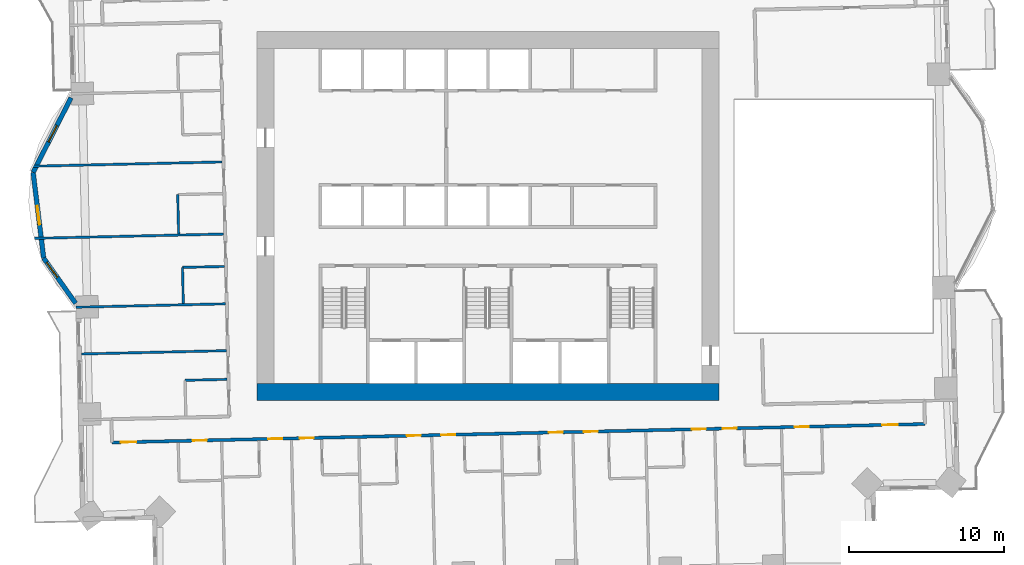
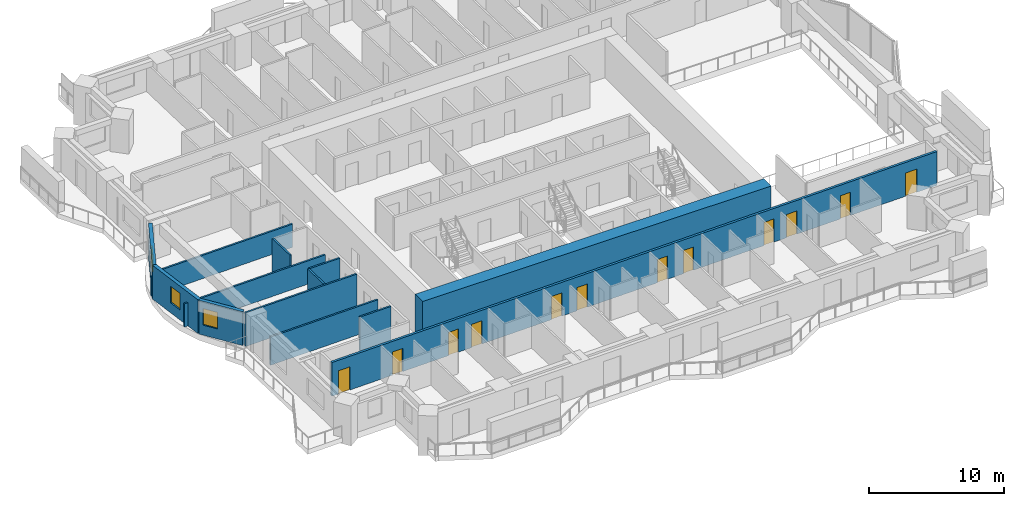
# One storey, part 7 of 17: 13 walls, 12 doors, 3 windows, 15 openings.
"""IFC4 building model written with IfcOpenShell, lengths in metres."""

from ifc_helpers import new_model, si_unit, direction, frame, frame_2d, origin, place, context, subcontext, project, spatial, rectangle, extrude, material, layer, layer_set, type_object, element, fill, save


model = new_model("IFC4")

# Units and contexts
model_context = context("Model", 3, precision=1e-05, world=origin(), true_north=direction((0.0, 1.0)))
body_context = subcontext(model_context, "Body", "Model", "MODEL_VIEW")
ifc_project = project(units=[si_unit("LENGTHUNIT", "METRE"), si_unit("AREAUNIT", "SQUARE_METRE"), si_unit("VOLUMEUNIT", "CUBIC_METRE"), si_unit("PLANEANGLEUNIT", "RADIAN"), si_unit("MASSUNIT", "GRAM", prefix="KILO")], contexts=[model_context])

# Site, building, storey
site_placement = place(None, origin())
site = spatial("IfcSite", under=ifc_project, at=site_placement, CompositionType="ELEMENT")
building_placement = place(site_placement, origin())
building = spatial("IfcBuilding", under=site, at=building_placement, Name="Mangrove Gate Tower", CompositionType="ELEMENT")
storey_placement = place(building_placement, frame((0.0, 0.0, 79.300048828125)))
storey = spatial("IfcBuildingStorey", under=building, at=storey_placement, Name="L19", CompositionType="ELEMENT", Elevation=79.300048828125)

# Wall
ifc_material_1 = material(Name="Concrete C70/85", Category="concrete")
ifc_layer_1 = layer(ifc_material_1, 1.10009765625)
ifc_layer_set_1 = layer_set([ifc_layer_1], Name="Core wall 1100 C70/85")
wall_type_1 = type_object("IfcWallType", Name="Core wall 1100 C70/85", PredefinedType="SHEAR", material=ifc_layer_set_1)
wall_1_placement = place(storey_placement, frame((-14.89990234375, -11.35009765625, 0.0), z_axis=(0.0, 0.0, 1.0), x_axis=(1.0, 0.0, 0.0)))
element("IfcWall", 1, at=wall_1_placement, inside=storey, type_object=wall_type_1, Name="WALL-L19-CORE-1", PredefinedType="SHEAR", context=body_context, shape_type="SweptSolid", body=[
    extrude(rectangle(XDim=29.7998046875, YDim=1.10009765625, at=frame_2d((14.89990234375, 0.0))), origin(), (0.0, 0.0, 1.0), 3.599853515625),
])

# Wall, openings, doors
ifc_material_2 = material(Name="Gypsum board on steel stud, EI 60", Category="steel")
ifc_layer_2 = layer(ifc_material_2, 0.199951171875)
ifc_layer_set_2 = layer_set([ifc_layer_2], Name="Corridor wall EI 60")
wall_type_2 = type_object("IfcWallType", Name="Corridor wall EI 60", PredefinedType="PARTITIONING", material=ifc_layer_set_2)
wall_2_placement = place(storey_placement, frame((-24.2490234375, -14.591064453125, 0.0), z_axis=(0.0, 0.0, 1.0), x_axis=(0.999742227308, 0.022704161211, 0.0)))
wall_2 = element("IfcWall", 2, at=wall_2_placement, inside=storey, type_object=wall_type_2, Name="WALL-L19-030", PredefinedType="PARTITIONING", context=body_context, shape_type="SweptSolid", body=[
    extrude(rectangle(XDim=52.42138671875, YDim=0.199951171875, at=frame_2d((26.210693359375, 0.0))), origin(), (0.0, 0.0, 1.0), 3.050048828125),
])
opening_1_placement = place(wall_2_placement, frame((0.574951171875, 0.0, 0.0)))
opening_1 = element("IfcOpeningElement", 3, at=opening_1_placement, cuts=wall_2, Name="Opening AD", PredefinedType="OPENING", context=body_context, shape_type="SweptSolid", body=[
    extrude(rectangle(XDim=1.0, YDim=2.10009765625, at=frame_2d((0.5, 1.050048828125))), frame((0.0, 0.10986328125, 0.0), z_axis=(0.0, -1.0, 0.0), x_axis=(1.0, 0.0, 0.0)), (0.0, 0.0, 1.0), 0.219970703125),
])
opening_2_placement = place(wall_2_placement, frame((5.22509765625, 0.0, 0.0)))
opening_2 = element("IfcOpeningElement", 4, at=opening_2_placement, cuts=wall_2, Name="Opening SD", PredefinedType="OPENING", context=body_context, shape_type="SweptSolid", body=[
    extrude(rectangle(XDim=0.89990234375, YDim=2.10009765625, at=frame_2d((0.449951171875, 1.050048828125))), frame((0.0, 0.10986328125, 0.0), z_axis=(0.0, -1.0, 0.0), x_axis=(1.0, 0.0, 0.0)), (0.0, 0.0, 1.0), 0.219970703125),
])
opening_3_placement = place(wall_2_placement, frame((10.074951171875, 0.0, 0.0)))
opening_3 = element("IfcOpeningElement", 5, at=opening_3_placement, cuts=wall_2, Name="Opening BD", PredefinedType="OPENING", context=body_context, shape_type="SweptSolid", body=[
    extrude(rectangle(XDim=0.89990234375, YDim=2.10009765625, at=frame_2d((0.449951171875, 1.050048828125))), frame((0.0, 0.10986328125, 0.0), z_axis=(0.0, -1.0, 0.0), x_axis=(1.0, 0.0, 0.0)), (0.0, 0.0, 1.0), 0.219970703125),
])
opening_4_placement = place(wall_2_placement, frame((12.10009765625, 0.0, 0.0)))
opening_4 = element("IfcOpeningElement", 6, at=opening_4_placement, cuts=wall_2, Name="Opening BD", PredefinedType="OPENING", context=body_context, shape_type="SweptSolid", body=[
    extrude(rectangle(XDim=0.89990234375, YDim=2.10009765625, at=frame_2d((0.449951171875, 1.050048828125))), frame((0.0, 0.10986328125, 0.0), z_axis=(0.0, -1.0, 0.0), x_axis=(1.0, 0.0, 0.0)), (0.0, 0.0, 1.0), 0.219970703125),
])
opening_5_placement = place(wall_2_placement, frame((19.02490234375, 0.0, 0.0)))
opening_5 = element("IfcOpeningElement", 7, at=opening_5_placement, cuts=wall_2, Name="Opening BD", PredefinedType="OPENING", context=body_context, shape_type="SweptSolid", body=[
    extrude(rectangle(XDim=0.89990234375, YDim=2.10009765625, at=frame_2d((0.449951171875, 1.050048828125))), frame((0.0, 0.10986328125, 0.0), z_axis=(0.0, -1.0, 0.0), x_axis=(1.0, 0.0, 0.0)), (0.0, 0.0, 1.0), 0.219970703125),
])
opening_6_placement = place(wall_2_placement, frame((21.22509765625, 0.0, 0.0)))
opening_6 = element("IfcOpeningElement", 8, at=opening_6_placement, cuts=wall_2, Name="Opening BD", PredefinedType="OPENING", context=body_context, shape_type="SweptSolid", body=[
    extrude(rectangle(XDim=0.89990234375, YDim=2.10009765625, at=frame_2d((0.449951171875, 1.050048828125))), frame((0.0, 0.10986328125, 0.0), z_axis=(0.0, -1.0, 0.0), x_axis=(1.0, 0.0, 0.0)), (0.0, 0.0, 1.0), 0.219970703125),
])
opening_7_placement = place(wall_2_placement, frame((28.175048828125, 0.0, 0.0)))
opening_7 = element("IfcOpeningElement", 9, at=opening_7_placement, cuts=wall_2, Name="Opening BD", PredefinedType="OPENING", context=body_context, shape_type="SweptSolid", body=[
    extrude(rectangle(XDim=0.89990234375, YDim=2.10009765625, at=frame_2d((0.449951171875, 1.050048828125))), frame((0.0, 0.10986328125, 0.0), z_axis=(0.0, -1.0, 0.0), x_axis=(1.0, 0.0, 0.0)), (0.0, 0.0, 1.0), 0.219970703125),
])
opening_8_placement = place(wall_2_placement, frame((30.425048828125, 0.0, 0.0)))
opening_8 = element("IfcOpeningElement", 10, at=opening_8_placement, cuts=wall_2, Name="Opening BD", PredefinedType="OPENING", context=body_context, shape_type="SweptSolid", body=[
    extrude(rectangle(XDim=0.89990234375, YDim=2.10009765625, at=frame_2d((0.449951171875, 1.050048828125))), frame((0.0, 0.10986328125, 0.0), z_axis=(0.0, -1.0, 0.0), x_axis=(1.0, 0.0, 0.0)), (0.0, 0.0, 1.0), 0.219970703125),
])
opening_9_placement = place(wall_2_placement, frame((37.39990234375, 0.0, 0.0)))
opening_9 = element("IfcOpeningElement", 11, at=opening_9_placement, cuts=wall_2, Name="Opening BD", PredefinedType="OPENING", context=body_context, shape_type="SweptSolid", body=[
    extrude(rectangle(XDim=0.89990234375, YDim=2.10009765625, at=frame_2d((0.449951171875, 1.050048828125))), frame((0.0, 0.10986328125, 0.0), z_axis=(0.0, -1.0, 0.0), x_axis=(1.0, 0.0, 0.0)), (0.0, 0.0, 1.0), 0.219970703125),
])
opening_10_placement = place(wall_2_placement, frame((39.375, 0.0, 0.0)))
opening_10 = element("IfcOpeningElement", 12, at=opening_10_placement, cuts=wall_2, Name="Opening BD", PredefinedType="OPENING", context=body_context, shape_type="SweptSolid", body=[
    extrude(rectangle(XDim=0.89990234375, YDim=2.10009765625, at=frame_2d((0.449951171875, 1.050048828125))), frame((0.0, 0.10986328125, 0.0), z_axis=(0.0, -1.0, 0.0), x_axis=(1.0, 0.0, 0.0)), (0.0, 0.0, 1.0), 0.219970703125),
])
opening_11_placement = place(wall_2_placement, frame((49.660888671875, 0.0, 0.0)))
opening_11 = element("IfcOpeningElement", 13, at=opening_11_placement, cuts=wall_2, Name="Opening AD", PredefinedType="OPENING", context=body_context, shape_type="SweptSolid", body=[
    extrude(rectangle(XDim=1.0, YDim=2.10009765625, at=frame_2d((0.5, 1.050048828125))), frame((0.0, 0.10986328125, 0.0), z_axis=(0.0, -1.0, 0.0), x_axis=(1.0, 0.0, 0.0)), (0.0, 0.0, 1.0), 0.219970703125),
])
opening_12_placement = place(wall_2_placement, frame((44.02490234375, 0.0, 0.0)))
opening_12 = element("IfcOpeningElement", 14, at=opening_12_placement, cuts=wall_2, Name="Opening SD", PredefinedType="OPENING", context=body_context, shape_type="SweptSolid", body=[
    extrude(rectangle(XDim=0.89990234375, YDim=2.10009765625, at=frame_2d((0.449951171875, 1.050048828125))), frame((0.0, 0.10986328125, 0.0), z_axis=(0.0, -1.0, 0.0), x_axis=(1.0, 0.0, 0.0)), (0.0, 0.0, 1.0), 0.219970703125),
])
ifc_material_3 = material(Name="Timber door leaf", Category="wood")
door_type_1 = type_object("IfcDoorType", Name="Amenity door 1000", OperationType="SINGLE_SWING_LEFT", PredefinedType="DOOR", material=ifc_material_3)
door_1_placement = place(opening_1_placement, origin())
door_1 = element("IfcDoor", 15, at=door_1_placement, inside=storey, type_object=door_type_1, Name="DOOR-L19-STU-c1a", OperationType="SINGLE_SWING_LEFT", OverallHeight=2.10009765625, OverallWidth=1.0, PredefinedType="DOOR", context=body_context, shape_type="SweptSolid", body=[
    extrude(rectangle(XDim=1.0, YDim=2.10009765625, at=frame_2d((0.5, 1.050048828125))), frame((0.0, 0.02490234375, 0.0), z_axis=(0.0, -1.0, 0.0), x_axis=(1.0, 0.0, 0.0)), (0.0, 0.0, 1.0), 0.050048828125),
])
fill(opening_1, door_1)
door_2_placement = place(opening_11_placement, origin())
door_2 = element("IfcDoor", 16, at=door_2_placement, inside=storey, type_object=door_type_1, Name="DOOR-L19-GAM-c3a", OperationType="SINGLE_SWING_RIGHT", OverallHeight=2.10009765625, OverallWidth=1.0, PredefinedType="DOOR", context=body_context, shape_type="SweptSolid", body=[
    extrude(rectangle(XDim=1.0, YDim=2.10009765625, at=frame_2d((0.5, 1.050048828125))), frame((0.0, 0.02490234375, 0.0), z_axis=(0.0, -1.0, 0.0), x_axis=(1.0, 0.0, 0.0)), (0.0, 0.0, 1.0), 0.050048828125),
])
fill(opening_11, door_2)
ifc_material_4 = material(Name="Timber door leaf", Category="wood")
door_type_2 = type_object("IfcDoorType", Name="Bedroom door 900", OperationType="SINGLE_SWING_LEFT", PredefinedType="DOOR", material=ifc_material_4)
door_3_placement = place(opening_3_placement, origin())
door_3 = element("IfcDoor", 17, at=door_3_placement, inside=storey, type_object=door_type_2, Name="DOOR-L19-BED-c101", OperationType="SINGLE_SWING_LEFT", OverallHeight=2.10009765625, OverallWidth=0.89990234375, PredefinedType="DOOR", context=body_context, shape_type="SweptSolid", body=[
    extrude(rectangle(XDim=0.89990234375, YDim=2.10009765625, at=frame_2d((0.449951171875, 1.050048828125))), frame((0.0, 0.02490234375, 0.0), z_axis=(0.0, -1.0, 0.0), x_axis=(1.0, 0.0, 0.0)), (0.0, 0.0, 1.0), 0.050048828125),
])
fill(opening_3, door_3)
door_4_placement = place(opening_4_placement, origin())
door_4 = element("IfcDoor", 18, at=door_4_placement, inside=storey, type_object=door_type_2, Name="DOOR-L19-BED-c102", OperationType="SINGLE_SWING_RIGHT", OverallHeight=2.10009765625, OverallWidth=0.89990234375, PredefinedType="DOOR", context=body_context, shape_type="SweptSolid", body=[
    extrude(rectangle(XDim=0.89990234375, YDim=2.10009765625, at=frame_2d((0.449951171875, 1.050048828125))), frame((0.0, 0.02490234375, 0.0), z_axis=(0.0, -1.0, 0.0), x_axis=(1.0, 0.0, 0.0)), (0.0, 0.0, 1.0), 0.050048828125),
])
fill(opening_4, door_4)
door_5_placement = place(opening_5_placement, origin())
door_5 = element("IfcDoor", 19, at=door_5_placement, inside=storey, type_object=door_type_2, Name="DOOR-L19-BED-c103", OperationType="SINGLE_SWING_LEFT", OverallHeight=2.10009765625, OverallWidth=0.89990234375, PredefinedType="DOOR", context=body_context, shape_type="SweptSolid", body=[
    extrude(rectangle(XDim=0.89990234375, YDim=2.10009765625, at=frame_2d((0.449951171875, 1.050048828125))), frame((0.0, 0.02490234375, 0.0), z_axis=(0.0, -1.0, 0.0), x_axis=(1.0, 0.0, 0.0)), (0.0, 0.0, 1.0), 0.050048828125),
])
fill(opening_5, door_5)
door_6_placement = place(opening_6_placement, origin())
door_6 = element("IfcDoor", 20, at=door_6_placement, inside=storey, type_object=door_type_2, Name="DOOR-L19-BED-c104", OperationType="SINGLE_SWING_RIGHT", OverallHeight=2.10009765625, OverallWidth=0.89990234375, PredefinedType="DOOR", context=body_context, shape_type="SweptSolid", body=[
    extrude(rectangle(XDim=0.89990234375, YDim=2.10009765625, at=frame_2d((0.449951171875, 1.050048828125))), frame((0.0, 0.02490234375, 0.0), z_axis=(0.0, -1.0, 0.0), x_axis=(1.0, 0.0, 0.0)), (0.0, 0.0, 1.0), 0.050048828125),
])
fill(opening_6, door_6)
door_7_placement = place(opening_7_placement, origin())
door_7 = element("IfcDoor", 21, at=door_7_placement, inside=storey, type_object=door_type_2, Name="DOOR-L19-BED-c205", OperationType="SINGLE_SWING_LEFT", OverallHeight=2.10009765625, OverallWidth=0.89990234375, PredefinedType="DOOR", context=body_context, shape_type="SweptSolid", body=[
    extrude(rectangle(XDim=0.89990234375, YDim=2.10009765625, at=frame_2d((0.449951171875, 1.050048828125))), frame((0.0, 0.02490234375, 0.0), z_axis=(0.0, -1.0, 0.0), x_axis=(1.0, 0.0, 0.0)), (0.0, 0.0, 1.0), 0.050048828125),
])
fill(opening_7, door_7)
door_8_placement = place(opening_8_placement, origin())
door_8 = element("IfcDoor", 22, at=door_8_placement, inside=storey, type_object=door_type_2, Name="DOOR-L19-BED-c206", OperationType="SINGLE_SWING_RIGHT", OverallHeight=2.10009765625, OverallWidth=0.89990234375, PredefinedType="DOOR", context=body_context, shape_type="SweptSolid", body=[
    extrude(rectangle(XDim=0.89990234375, YDim=2.10009765625, at=frame_2d((0.449951171875, 1.050048828125))), frame((0.0, 0.02490234375, 0.0), z_axis=(0.0, -1.0, 0.0), x_axis=(1.0, 0.0, 0.0)), (0.0, 0.0, 1.0), 0.050048828125),
])
fill(opening_8, door_8)
door_9_placement = place(opening_9_placement, origin())
door_9 = element("IfcDoor", 23, at=door_9_placement, inside=storey, type_object=door_type_2, Name="DOOR-L19-BED-c207", OperationType="SINGLE_SWING_LEFT", OverallHeight=2.10009765625, OverallWidth=0.89990234375, PredefinedType="DOOR", context=body_context, shape_type="SweptSolid", body=[
    extrude(rectangle(XDim=0.89990234375, YDim=2.10009765625, at=frame_2d((0.449951171875, 1.050048828125))), frame((0.0, 0.02490234375, 0.0), z_axis=(0.0, -1.0, 0.0), x_axis=(1.0, 0.0, 0.0)), (0.0, 0.0, 1.0), 0.050048828125),
])
fill(opening_9, door_9)
door_10_placement = place(opening_10_placement, origin())
door_10 = element("IfcDoor", 24, at=door_10_placement, inside=storey, type_object=door_type_2, Name="DOOR-L19-BED-c308", OperationType="SINGLE_SWING_RIGHT", OverallHeight=2.10009765625, OverallWidth=0.89990234375, PredefinedType="DOOR", context=body_context, shape_type="SweptSolid", body=[
    extrude(rectangle(XDim=0.89990234375, YDim=2.10009765625, at=frame_2d((0.449951171875, 1.050048828125))), frame((0.0, 0.02490234375, 0.0), z_axis=(0.0, -1.0, 0.0), x_axis=(1.0, 0.0, 0.0)), (0.0, 0.0, 1.0), 0.050048828125),
])
fill(opening_10, door_10)
ifc_material_5 = material(Name="Timber door leaf", Category="wood")
door_type_3 = type_object("IfcDoorType", Name="Service room door 900", OperationType="SINGLE_SWING_LEFT", PredefinedType="DOOR", material=ifc_material_5)
door_11_placement = place(opening_2_placement, origin())
door_11 = element("IfcDoor", 25, at=door_11_placement, inside=storey, type_object=door_type_3, Name="DOOR-L19-LDY-c1a", OperationType="SINGLE_SWING_LEFT", OverallHeight=2.10009765625, OverallWidth=0.89990234375, PredefinedType="DOOR", context=body_context, shape_type="SweptSolid", body=[
    extrude(rectangle(XDim=0.89990234375, YDim=2.10009765625, at=frame_2d((0.449951171875, 1.050048828125))), frame((0.0, 0.02490234375, 0.0), z_axis=(0.0, -1.0, 0.0), x_axis=(1.0, 0.0, 0.0)), (0.0, 0.0, 1.0), 0.050048828125),
])
fill(opening_2, door_11)
door_12_placement = place(opening_12_placement, origin())
door_12 = element("IfcDoor", 26, at=door_12_placement, inside=storey, type_object=door_type_3, Name="DOOR-L19-AWC-c3a", OperationType="SINGLE_SWING_RIGHT", OverallHeight=2.10009765625, OverallWidth=0.89990234375, PredefinedType="DOOR", context=body_context, shape_type="SweptSolid", body=[
    extrude(rectangle(XDim=0.89990234375, YDim=2.10009765625, at=frame_2d((0.449951171875, 1.050048828125))), frame((0.0, 0.02490234375, 0.0), z_axis=(0.0, -1.0, 0.0), x_axis=(1.0, 0.0, 0.0)), (0.0, 0.0, 1.0), 0.050048828125),
])
fill(opening_12, door_12)

# Wall, opening, window
ifc_material_6 = material(Name="Limestone", Category="masonry")
ifc_layer_3 = layer(ifc_material_6, 0.0400390625, Name="Limestone cladding")
ifc_material_7 = material(Name="Ventilated air gap")
ifc_layer_4 = layer(ifc_material_7, 0.0400390625, Name="Ventilated cavity")
ifc_material_8 = material(Name="Mineral wool insulation")
ifc_layer_5 = layer(ifc_material_8, 0.06005859375, Name="Insulation")
ifc_material_9 = material(Name="Breather membrane")
ifc_layer_6 = layer(ifc_material_9, 0.001953125, Name="Breather membrane")
ifc_material_10 = material(Name="Concrete C20/25 blockwork", Category="masonry")
ifc_layer_7 = layer(ifc_material_10, 0.14990234375, Name="Blockwork backing wall")
ifc_material_11 = material(Name="Gypsum plaster")
ifc_layer_8 = layer(ifc_material_11, 0.008056640625, Name="Internal plaster")
ifc_layer_set_3 = layer_set([ifc_layer_3, ifc_layer_4, ifc_layer_5, ifc_layer_6, ifc_layer_7, ifc_layer_8], Name="External wall 300 limestone cladding")
wall_type_3 = type_object("IfcWallType", Name="External wall 300 limestone cladding", PredefinedType="SOLIDWALL", material=ifc_layer_set_3)
wall_3_placement = place(storey_placement, frame((-26.888916015625, 7.635009765625, 0.0), z_axis=(0.0, 0.0, 1.0), x_axis=(-0.452633159278, -0.891696822425, 0.0)))
wall_3 = element("IfcWall", 27, at=wall_3_placement, inside=storey, type_object=wall_type_3, Name="WALL-L19-W9f1", PredefinedType="SOLIDWALL", context=body_context, shape_type="SweptSolid", body=[
    extrude(rectangle(XDim=5.3974609375, YDim=0.300048828125, at=frame_2d((2.69873046875, 0.0))), origin(), (0.0, 0.0, 1.0), 3.050048828125),
])
opening_13_placement = place(wall_3_placement, frame((2.007080078125, 0.0, 0.89990234375)))
opening_13 = element("IfcOpeningElement", 28, at=opening_13_placement, cuts=wall_3, Name="Opening W1", PredefinedType="OPENING", context=body_context, shape_type="SweptSolid", body=[
    extrude(rectangle(XDim=1.199951171875, YDim=1.5, at=frame_2d((0.60009765625, 0.75))), frame((0.0, 0.159912109375, 0.0), z_axis=(0.0, -1.0, 0.0), x_axis=(1.0, 0.0, 0.0)), (0.0, 0.0, 1.0), 0.320068359375),
])
ifc_material_12 = material(Name="Aluminium frame with double-glazed low-e glass", Category="aluminium")
window_type = type_object("IfcWindowType", Name="Side lite 1200x1500", PartitioningType="SINGLE_PANEL", PredefinedType="WINDOW", material=ifc_material_12)
window_1_placement = place(opening_13_placement, origin())
window_1 = element("IfcWindow", 29, at=window_1_placement, inside=storey, type_object=window_type, Name="WIN-L19-W9f1", OverallHeight=1.5, OverallWidth=1.199951171875, PartitioningType="SINGLE_PANEL", PredefinedType="WINDOW", context=body_context, shape_type="SweptSolid", body=[
    extrude(rectangle(XDim=1.199951171875, YDim=1.5, at=frame_2d((0.60009765625, 0.75))), frame((0.0, 0.030029296875, 0.0), z_axis=(0.0, -1.0, 0.0), x_axis=(1.0, 0.0, 0.0)), (0.0, 0.0, 1.0), 0.06005859375),
])
fill(opening_13, window_1)

wall_4_placement = place(storey_placement, frame((-29.33203125, 2.822021484375, 0.0), z_axis=(0.0, 0.0, 1.0), x_axis=(0.122206978992, -0.992504636909, 0.0)))
wall_4 = element("IfcWall", 30, at=wall_4_placement, inside=storey, type_object=wall_type_3, Name="WALL-L19-W9f2", PredefinedType="SOLIDWALL", context=body_context, shape_type="SweptSolid", body=[
    extrude(rectangle(XDim=5.57373046875, YDim=0.300048828125, at=frame_2d((2.786865234375, 0.0))), origin(), (0.0, 0.0, 1.0), 3.050048828125),
])
opening_14_placement = place(wall_4_placement, frame((2.18701171875, 0.0, 0.89990234375)))
opening_14 = element("IfcOpeningElement", 31, at=opening_14_placement, cuts=wall_4, Name="Opening W1", PredefinedType="OPENING", context=body_context, shape_type="SweptSolid", body=[
    extrude(rectangle(XDim=1.199951171875, YDim=1.5, at=frame_2d((0.60009765625, 0.75))), frame((0.0, 0.159912109375, 0.0), z_axis=(0.0, -1.0, 0.0), x_axis=(1.0, 0.0, 0.0)), (0.0, 0.0, 1.0), 0.320068359375),
])
window_2_placement = place(opening_14_placement, origin())
window_2 = element("IfcWindow", 32, at=window_2_placement, inside=storey, type_object=window_type, Name="WIN-L19-W9f2", OverallHeight=1.5, OverallWidth=1.199951171875, PartitioningType="SINGLE_PANEL", PredefinedType="WINDOW", context=body_context, shape_type="SweptSolid", body=[
    extrude(rectangle(XDim=1.199951171875, YDim=1.5, at=frame_2d((0.60009765625, 0.75))), frame((0.0, 0.030029296875, 0.0), z_axis=(0.0, -1.0, 0.0), x_axis=(1.0, 0.0, 0.0)), (0.0, 0.0, 1.0), 0.06005859375),
])
fill(opening_14, window_2)

wall_5_placement = place(storey_placement, frame((-28.65087890625, -2.7099609375, 0.0), z_axis=(0.0, 0.0, 1.0), x_axis=(0.577964171051, -0.816062140392, 0.0)))
wall_5 = element("IfcWall", 33, at=wall_5_placement, inside=storey, type_object=wall_type_3, Name="WALL-L19-W9f3", PredefinedType="SOLIDWALL", context=body_context, shape_type="SweptSolid", body=[
    extrude(rectangle(XDim=3.5673828125, YDim=0.300048828125, at=frame_2d((1.78369140625, 0.0))), origin(), (0.0, 0.0, 1.0), 3.050048828125),
])
opening_15_placement = place(wall_5_placement, frame((0.3369140625, 0.0, 0.89990234375)))
opening_15 = element("IfcOpeningElement", 34, at=opening_15_placement, cuts=wall_5, Name="Opening W1", PredefinedType="OPENING", context=body_context, shape_type="SweptSolid", body=[
    extrude(rectangle(XDim=1.199951171875, YDim=1.5, at=frame_2d((0.60009765625, 0.75))), frame((0.0, 0.159912109375, 0.0), z_axis=(0.0, -1.0, 0.0), x_axis=(1.0, 0.0, 0.0)), (0.0, 0.0, 1.0), 0.320068359375),
])
window_3_placement = place(opening_15_placement, origin())
window_3 = element("IfcWindow", 35, at=window_3_placement, inside=storey, type_object=window_type, Name="WIN-L19-W9f3", OverallHeight=1.5, OverallWidth=1.199951171875, PartitioningType="SINGLE_PANEL", PredefinedType="WINDOW", context=body_context, shape_type="SweptSolid", body=[
    extrude(rectangle(XDim=1.199951171875, YDim=1.5, at=frame_2d((0.60009765625, 0.75))), frame((0.0, 0.030029296875, 0.0), z_axis=(0.0, -1.0, 0.0), x_axis=(1.0, 0.0, 0.0)), (0.0, 0.0, 1.0), 0.06005859375),
])
fill(opening_15, window_3)

# Walls
ifc_material_13 = material(Name="Gypsum board on steel stud, EI 60", Category="steel")
ifc_layer_9 = layer(ifc_material_13, 0.14990234375)
ifc_layer_set_4 = layer_set([ifc_layer_9], Name="Party wall 150 EI 60")
wall_type_4 = type_object("IfcWallType", Name="Party wall 150 EI 60", PredefinedType="PARTITIONING", material=ifc_layer_set_4)
wall_6_placement = place(storey_placement, frame((-19.532958984375, -10.5830078125, 0.0), z_axis=(0.0, 0.0, 1.0), x_axis=(0.999736155505, 0.022969966847, 0.0)))
element("IfcWall", 36, at=wall_6_placement, inside=storey, type_object=wall_type_4, Name="WALL-L19-040", PredefinedType="PARTITIONING", context=body_context, shape_type="SweptSolid", body=[
    extrude(rectangle(XDim=2.69970703125, YDim=0.14990234375, at=frame_2d((1.349853515625, 0.0))), origin(), (0.0, 0.0, 1.0), 3.050048828125),
])
wall_7_placement = place(storey_placement, frame((-26.2041015625, -8.884033203125, 0.0), z_axis=(0.0, 0.0, 1.0), x_axis=(0.999742051634, 0.022711895436, 0.0)))
element("IfcWall", 37, at=wall_7_placement, inside=storey, type_object=wall_type_4, Name="WALL-L19-041", PredefinedType="PARTITIONING", context=body_context, shape_type="SweptSolid", body=[
    extrude(rectangle(XDim=9.33056640625, YDim=0.14990234375, at=frame_2d((4.665283203125, 0.0))), origin(), (0.0, 0.0, 1.0), 2.550048828125),
])
wall_8_placement = place(storey_placement, frame((-26.572998046875, -5.87109375, 0.0), z_axis=(0.0, 0.0, 1.0), x_axis=(0.999743768709, 0.022636186244, 0.0)))
element("IfcWall", 38, at=wall_8_placement, inside=storey, type_object=wall_type_4, Name="WALL-L19-042", PredefinedType="PARTITIONING", context=body_context, shape_type="SweptSolid", body=[
    extrude(rectangle(XDim=9.63134765625, YDim=0.14990234375, at=frame_2d((4.815673828125, 0.0))), origin(), (0.0, 0.0, 1.0), 3.050048828125),
])
wall_9_placement = place(storey_placement, frame((-19.64990234375, -5.634033203125, 0.0), z_axis=(0.0, 0.0, 1.0), x_axis=(-0.02279059109, 0.999740260747, 0.0)))
element("IfcWall", 39, at=wall_9_placement, inside=storey, type_object=wall_type_4, Name="WALL-L19-043", PredefinedType="PARTITIONING", context=body_context, shape_type="SweptSolid", body=[
    extrude(rectangle(XDim=2.324462890625, YDim=0.14990234375, at=frame_2d((1.162109375, 0.0))), origin(), (0.0, 0.0, 1.0), 3.050048828125),
])
wall_10_placement = place(storey_placement, frame((-19.697998046875, -3.303955078125, 0.0), z_axis=(0.0, 0.0, 1.0), x_axis=(0.999744396973, 0.02260842146, 0.0)))
element("IfcWall", 40, at=wall_10_placement, inside=storey, type_object=wall_type_4, Name="WALL-L19-044", PredefinedType="PARTITIONING", context=body_context, shape_type="SweptSolid", body=[
    extrude(rectangle(XDim=2.69970703125, YDim=0.14990234375, at=frame_2d((1.349853515625, 0.0))), origin(), (0.0, 0.0, 1.0), 3.050048828125),
])
wall_11_placement = place(storey_placement, frame((-29.237060546875, -1.429931640625, 0.0), z_axis=(0.0, 0.0, 1.0), x_axis=(0.999744053012, 0.022623626312, 0.0)))
element("IfcWall", 41, at=wall_11_placement, inside=storey, type_object=wall_type_4, Name="WALL-L19-045", PredefinedType="PARTITIONING", context=body_context, shape_type="SweptSolid", body=[
    extrude(rectangle(XDim=12.1943359375, YDim=0.14990234375, at=frame_2d((6.09716796875, 0.0))), origin(), (0.0, 0.0, 1.0), 2.099853515625),
])
wall_12_placement = place(storey_placement, frame((-19.951904296875, -1.139892578125, 0.0), z_axis=(0.0, 0.0, 1.0), x_axis=(-0.023006865507, 0.999735307039, 0.0)))
element("IfcWall", 42, at=wall_12_placement, inside=storey, type_object=wall_type_4, Name="WALL-L19-046", PredefinedType="PARTITIONING", context=body_context, shape_type="SweptSolid", body=[
    extrude(rectangle(XDim=2.525634765625, YDim=0.14990234375, at=frame_2d((1.2626953125, 0.0))), origin(), (0.0, 0.0, 1.0), 3.050048828125),
])
wall_13_placement = place(storey_placement, frame((-29.3740234375, 3.218017578125, 0.0), z_axis=(0.0, 0.0, 1.0), x_axis=(0.99974308155, 0.022666514803, 0.0)))
element("IfcWall", 43, at=wall_13_placement, inside=storey, type_object=wall_type_4, Name="WALL-L19-048", PredefinedType="PARTITIONING", context=body_context, shape_type="SweptSolid", body=[
    extrude(rectangle(XDim=12.22509765625, YDim=0.14990234375, at=frame_2d((6.112548828125, 0.0))), origin(), (0.0, 0.0, 1.0), 2.099853515625),
])

save(model, "model.ifc")
